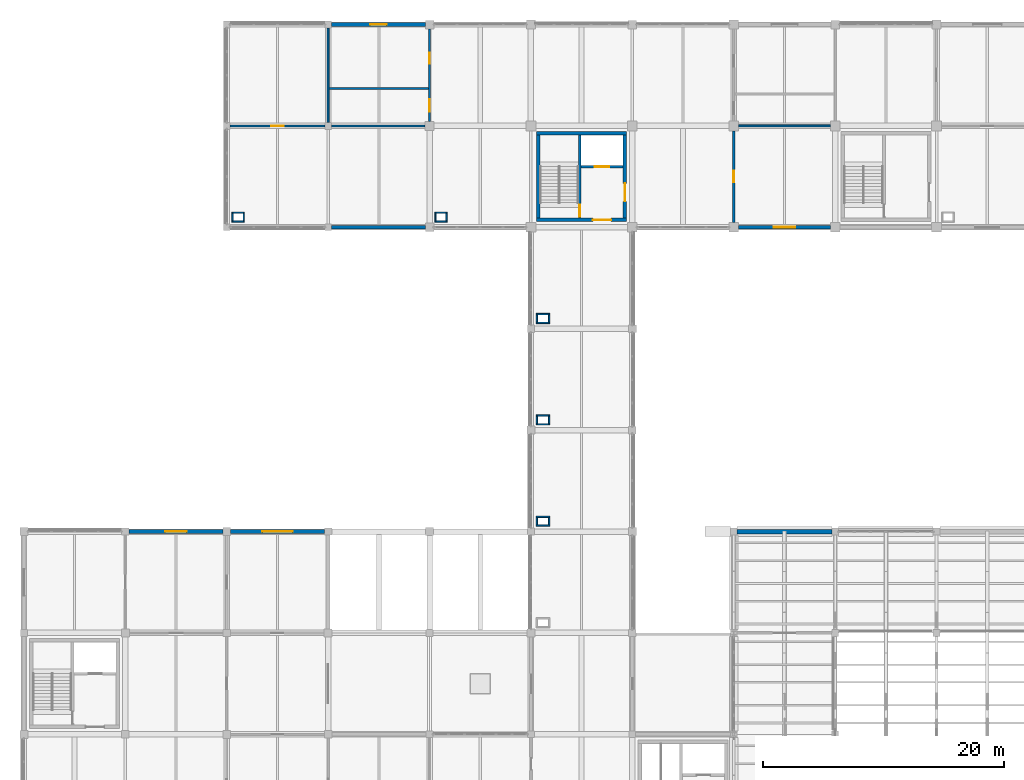
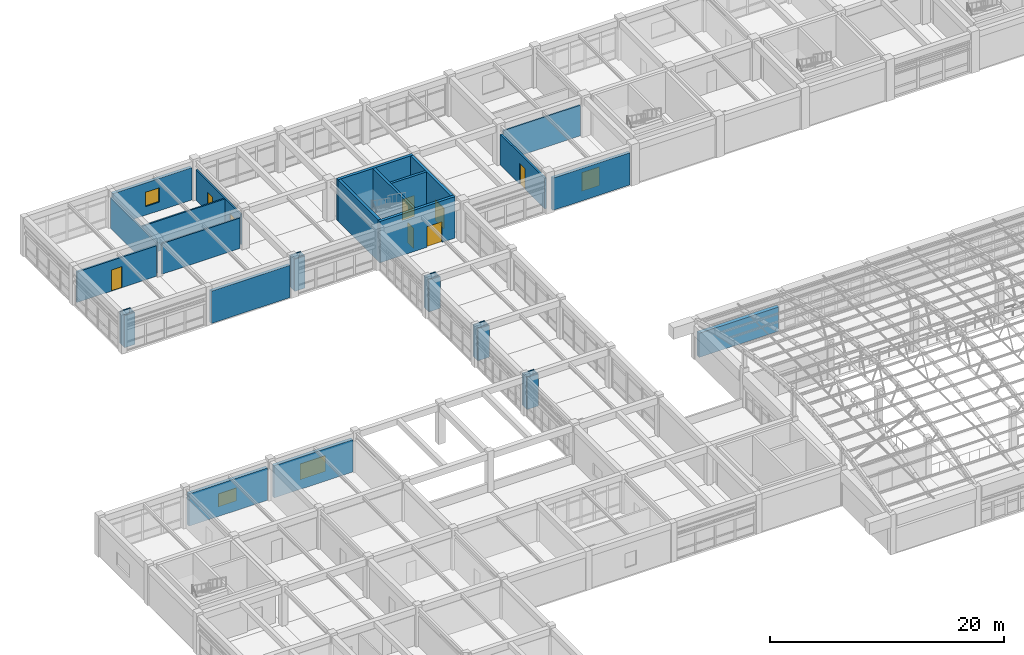
# One storey, part 65 of 74: 39 walls, 8 doors, 4 windows, 12 openings.
"""IFC4 building model written with IfcOpenShell, lengths in metres."""

from ifc_helpers import new_model, si_unit, direction, frame, frame_2d, origin, place, context, subcontext, project, spatial, rectangle, extrude, material, layer, layer_set, type_object, element, fill, save


model = new_model("IFC4")

# Units and contexts
model_context = context("Model", 3, precision=1e-05, world=origin(), true_north=direction((0.0, 1.0)))
body_context = subcontext(model_context, "Body", "Model", "MODEL_VIEW")
ifc_project = project(units=[si_unit("LENGTHUNIT", "METRE"), si_unit("AREAUNIT", "SQUARE_METRE"), si_unit("VOLUMEUNIT", "CUBIC_METRE"), si_unit("PLANEANGLEUNIT", "RADIAN"), si_unit("MASSUNIT", "GRAM", prefix="KILO")], contexts=[model_context])

# Site, building, storey
site_placement = place(None, origin())
site = spatial("IfcSite", under=ifc_project, at=site_placement, CompositionType="ELEMENT")
building_placement = place(site_placement, origin())
building = spatial("IfcBuilding", under=site, at=building_placement, Name="Porcellanite Civic Hall", CompositionType="ELEMENT")
storey_placement = place(building_placement, frame((0.0, 0.0, 14.760009765625)))
storey = spatial("IfcBuildingStorey", under=building, at=storey_placement, Name="L03", CompositionType="ELEMENT", Elevation=14.760009765625)

# Wall, opening, door
ifc_material_1 = material(Name="Concrete N40 (40 MPa)", Category="concrete")
ifc_layer_1 = layer(ifc_material_1, 0.239990234375)
ifc_layer_set_1 = layer_set([ifc_layer_1], Name="Concrete N40 (40 MPa)")
wall_type_1 = type_object("IfcWallType", Name="CW-SH240", PredefinedType="SHEAR", material=ifc_layer_set_1)
wall_1_placement = place(storey_placement, frame((54.43994140625, 101.56005859375, 0.0), z_axis=(0.0, 0.0, 1.0), x_axis=(0.0, 1.0, 0.0)))
wall_1 = element("IfcWall", 1, at=wall_1_placement, inside=storey, type_object=wall_type_1, Name="Core divider C3 L03", PredefinedType="SHEAR", context=body_context, shape_type="SweptSolid", body=[
    extrude(rectangle(XDim=6.8798828125, YDim=0.239990234375, at=frame_2d((3.43994140625, 0.0))), origin(), (0.0, 0.0, 1.0), 4.320068359375),
])
opening_1_placement = place(wall_1_placement, frame((0.1201171875, 0.0, 0.0)))
opening_1 = element("IfcOpeningElement", 2, at=opening_1_placement, cuts=wall_1, Name="Opening FD-C3-L03-ST", PredefinedType="OPENING", context=body_context, shape_type="SweptSolid", body=[
    extrude(rectangle(XDim=1.0, YDim=2.14990234375, at=frame_2d((0.5, 1.074951171875))), frame((0.0, 0.1201171875, 0.0), z_axis=(0.0, -1.0, 0.0), x_axis=(1.0, 0.0, 0.0)), (0.0, 0.0, 1.0), 0.239990234375),
])
ifc_material_2 = material(Name="Fire-rated solid-core hardwood timber", Category="wood")
door_type_1 = type_object("IfcDoorType", Name="DR-FD100", OperationType="NOTDEFINED", PredefinedType="DOOR", material=ifc_material_2)
door_1_placement = place(opening_1_placement, origin())
door_1 = element("IfcDoor", 3, at=door_1_placement, inside=storey, type_object=door_type_1, Name="Fire stair door FD-C3-L03-ST", OperationType="SINGLE_SWING_RIGHT", OverallHeight=2.14990234375, OverallWidth=1.0, PredefinedType="DOOR", context=body_context, shape_type="SweptSolid", body=[
    extrude(rectangle(XDim=1.0, YDim=2.14990234375, at=frame_2d((0.5, 1.074951171875))), frame((0.0, 0.02490234375, 0.0), z_axis=(0.0, -1.0, 0.0), x_axis=(1.0, 0.0, 0.0)), (0.0, 0.0, 1.0), 0.050048828125),
])
fill(opening_1, door_1)

wall_2_placement = place(storey_placement, frame((54.56005859375, 105.820068359375, 0.0), z_axis=(0.0, 0.0, 1.0), x_axis=(1.0, 0.0, 0.0)))
wall_2 = element("IfcWall", 4, at=wall_2_placement, inside=storey, type_object=wall_type_1, Name="Lift shaft wall C3 L03", PredefinedType="SHEAR", context=body_context, shape_type="SweptSolid", body=[
    extrude(rectangle(XDim=3.47998046875, YDim=0.239990234375, at=frame_2d((1.739990234375, 0.0))), origin(), (0.0, 0.0, 1.0), 4.320068359375),
])
opening_2_placement = place(wall_2_placement, frame((1.139892578125, 0.0, 0.0)))
opening_2 = element("IfcOpeningElement", 5, at=opening_2_placement, cuts=wall_2, Name="Opening LD-01", PredefinedType="OPENING", context=body_context, shape_type="SweptSolid", body=[
    extrude(rectangle(XDim=1.199951171875, YDim=2.199951171875, at=frame_2d((0.60009765625, 1.10009765625))), frame((0.0, 0.1201171875, 0.0), z_axis=(0.0, -1.0, 0.0), x_axis=(1.0, 0.0, 0.0)), (0.0, 0.0, 1.0), 0.239990234375),
])
ifc_material_3 = material(Name="Brushed stainless steel 316", Category="steel")
door_type_2 = type_object("IfcDoorType", Name="DR-LD120", OperationType="DOUBLE_DOOR_SLIDING", PredefinedType="DOOR", material=ifc_material_3)
door_2_placement = place(opening_2_placement, origin())
door_2 = element("IfcDoor", 6, at=door_2_placement, inside=storey, type_object=door_type_2, Name="Lift landing sliding door LD-01 L03", OperationType="DOUBLE_DOOR_SLIDING", OverallHeight=2.199951171875, OverallWidth=1.199951171875, PredefinedType="DOOR", context=body_context, shape_type="SweptSolid", body=[
    extrude(rectangle(XDim=1.199951171875, YDim=2.199951171875, at=frame_2d((0.60009765625, 1.10009765625))), frame((0.0, 0.02490234375, 0.0), z_axis=(0.0, -1.0, 0.0), x_axis=(1.0, 0.0, 0.0)), (0.0, 0.0, 1.0), 0.050048828125),
])
fill(opening_2, door_2)

ifc_material_4 = material(Name="Concrete N40 (40 MPa)", Category="concrete")
ifc_layer_2 = layer(ifc_material_4, 0.280029296875)
ifc_layer_set_2 = layer_set([ifc_layer_2], Name="Concrete N40 (40 MPa)")
wall_type_2 = type_object("IfcWallType", Name="CW-SH280", PredefinedType="SHEAR", material=ifc_layer_set_2)
wall_3_placement = place(storey_placement, frame((58.320068359375, 101.419921875, 0.0), z_axis=(0.0, 0.0, 1.0), x_axis=(-1.0, 0.0, 0.0)))
wall_3 = element("IfcWall", 7, at=wall_3_placement, inside=storey, type_object=wall_type_2, Name="Core wall C3 L03 S", PredefinedType="SHEAR", context=body_context, shape_type="SweptSolid", body=[
    extrude(rectangle(XDim=7.440185546875, YDim=0.280029296875, at=frame_2d((3.72021484375, 0.0))), origin(), (0.0, 0.0, 1.0), 4.320068359375),
])
opening_3_placement = place(wall_3_placement, frame((1.280029296875, 0.0, 0.0)))
opening_3 = element("IfcOpeningElement", 8, at=opening_3_placement, cuts=wall_3, Name="Opening FD-C3-L03-LS", PredefinedType="OPENING", context=body_context, shape_type="SweptSolid", body=[
    extrude(rectangle(XDim=1.5, YDim=2.14990234375, at=frame_2d((0.75, 1.074951171875))), frame((0.0, 0.14013671875, 0.0), z_axis=(0.0, -1.0, 0.0), x_axis=(1.0, 0.0, 0.0)), (0.0, 0.0, 1.0), 0.280029296875),
])
ifc_material_5 = material(Name="Fire-rated steel and Georgian wired glass", Category="steel")
door_type_3 = type_object("IfcDoorType", Name="DR-FD150", OperationType="DOUBLE_DOOR_SINGLE_SWING", PredefinedType="DOOR", material=ifc_material_5)
door_3_placement = place(opening_3_placement, origin())
door_3 = element("IfcDoor", 9, at=door_3_placement, inside=storey, type_object=door_type_3, Name="Fire lobby south door FD-C3-L03-LS", OperationType="DOUBLE_DOOR_SINGLE_SWING", OverallHeight=2.14990234375, OverallWidth=1.5, PredefinedType="DOOR", context=body_context, shape_type="SweptSolid", body=[
    extrude(rectangle(XDim=1.5, YDim=2.14990234375, at=frame_2d((0.75, 1.074951171875))), frame((0.0, 0.02490234375, 0.0), z_axis=(0.0, -1.0, 0.0), x_axis=(1.0, 0.0, 0.0)), (0.0, 0.0, 1.0), 0.050048828125),
])
fill(opening_3, door_3)

# Walls
wall_4_placement = place(storey_placement, frame((51.02001953125, 101.56005859375, 0.0), z_axis=(0.0, 0.0, 1.0), x_axis=(0.0, 1.0, 0.0)))
element("IfcWall", 10, at=wall_4_placement, inside=storey, type_object=wall_type_2, Name="Core wall C3 L03 W", PredefinedType="SHEAR", context=body_context, shape_type="SweptSolid", body=[
    extrude(rectangle(XDim=6.8798828125, YDim=0.280029296875, at=frame_2d((3.43994140625, 0.0))), origin(), (0.0, 0.0, 1.0), 4.320068359375),
])
wall_5_placement = place(storey_placement, frame((50.8798828125, 108.580078125, 0.0), z_axis=(0.0, 0.0, 1.0), x_axis=(1.0, 0.0, 0.0)))
element("IfcWall", 11, at=wall_5_placement, inside=storey, type_object=wall_type_2, Name="Core wall C3 L03 N", PredefinedType="SHEAR", context=body_context, shape_type="SweptSolid", body=[
    extrude(rectangle(XDim=7.440185546875, YDim=0.280029296875, at=frame_2d((3.72021484375, 0.0))), origin(), (0.0, 0.0, 1.0), 4.320068359375),
])

# Wall, opening, door
wall_6_placement = place(storey_placement, frame((58.179931640625, 108.43994140625, 0.0), z_axis=(0.0, 0.0, 1.0), x_axis=(0.0, -1.0, 0.0)))
wall_6 = element("IfcWall", 12, at=wall_6_placement, inside=storey, type_object=wall_type_2, Name="Core wall C3 L03 E", PredefinedType="SHEAR", context=body_context, shape_type="SweptSolid", body=[
    extrude(rectangle(XDim=6.8798828125, YDim=0.280029296875, at=frame_2d((3.43994140625, 0.0))), origin(), (0.0, 0.0, 1.0), 4.320068359375),
])
opening_4_placement = place(wall_6_placement, frame((3.989990234375, 0.0, 0.0)))
opening_4 = element("IfcOpeningElement", 13, at=opening_4_placement, cuts=wall_6, Name="Opening FD-C3-L03-LB", PredefinedType="OPENING", context=body_context, shape_type="SweptSolid", body=[
    extrude(rectangle(XDim=1.5, YDim=2.14990234375, at=frame_2d((0.75, 1.074951171875))), frame((0.0, 0.14013671875, 0.0), z_axis=(0.0, -1.0, 0.0), x_axis=(1.0, 0.0, 0.0)), (0.0, 0.0, 1.0), 0.280029296875),
])
door_4_placement = place(opening_4_placement, origin())
door_4 = element("IfcDoor", 14, at=door_4_placement, inside=storey, type_object=door_type_3, Name="Fire lobby double door FD-C3-L03-LB", OperationType="DOUBLE_DOOR_SINGLE_SWING", OverallHeight=2.14990234375, OverallWidth=1.5, PredefinedType="DOOR", context=body_context, shape_type="SweptSolid", body=[
    extrude(rectangle(XDim=1.5, YDim=2.14990234375, at=frame_2d((0.75, 1.074951171875))), frame((0.0, 0.02490234375, 0.0), z_axis=(0.0, -1.0, 0.0), x_axis=(1.0, 0.0, 0.0)), (0.0, 0.0, 1.0), 0.050048828125),
])
fill(opening_4, door_4)

# Wall
ifc_material_6 = material(Name="Precast concrete N40 (40 MPa)", Category="concrete")
ifc_layer_3 = layer(ifc_material_6, 0.300048828125)
ifc_layer_set_3 = layer_set([ifc_layer_3], Name="Precast concrete N40 (40 MPa)")
wall_type_3 = type_object("IfcWallType", Name="EW-ADM300", PredefinedType="SOLIDWALL", material=ifc_layer_set_3)
wall_7_placement = place(storey_placement, frame((41.64892578125, 100.800048828125, 0.0), z_axis=(0.0, 0.0, 1.0), x_axis=(-1.0, 0.0, 0.0)))
element("IfcWall", 15, at=wall_7_placement, inside=storey, type_object=wall_type_3, Name="Exterior wall L03 S 5-13", PredefinedType="SOLIDWALL", context=body_context, shape_type="SweptSolid", body=[
    extrude(rectangle(XDim=7.77294921875, YDim=0.300048828125, at=frame_2d((3.886474609375, 0.0))), origin(), (0.0, 0.0, 1.0), 3.369873046875),
])

# Wall, opening, window
wall_8_placement = place(storey_placement, frame((33.8759765625, 117.60009765625, 0.0), z_axis=(0.0, 0.0, 1.0), x_axis=(1.0, 0.0, 0.0)))
wall_8 = element("IfcWall", 16, at=wall_8_placement, inside=storey, type_object=wall_type_3, Name="Exterior wall L03 N 5-14", PredefinedType="SOLIDWALL", context=body_context, shape_type="SweptSolid", body=[
    extrude(rectangle(XDim=7.77294921875, YDim=0.300048828125, at=frame_2d((3.886474609375, 0.0))), origin(), (0.0, 0.0, 1.0), 3.369873046875),
])
opening_5_placement = place(wall_8_placement, frame((3.2119140625, 0.0, 0.89990234375)))
opening_5 = element("IfcOpeningElement", 17, at=opening_5_placement, cuts=wall_8, Name="Opening W23", PredefinedType="OPENING", context=body_context, shape_type="SweptSolid", body=[
    extrude(rectangle(XDim=1.35009765625, YDim=1.5, at=frame_2d((0.675048828125, 0.75))), frame((0.0, 0.14990234375, 0.0), z_axis=(0.0, -1.0, 0.0), x_axis=(1.0, 0.0, 0.0)), (0.0, 0.0, 1.0), 0.300048828125),
])
ifc_material_7 = material(Name="Cyclone laminated low-E glazing in anodised aluminium frame", Category="aluminium")
window_type_1 = type_object("IfcWindowType", Name="WN-23", PartitioningType="SINGLE_PANEL", PredefinedType="WINDOW", material=ifc_material_7)
window_1_placement = place(opening_5_placement, origin())
window_1 = element("IfcWindow", 18, at=window_1_placement, inside=storey, type_object=window_type_1, Name="Window W23 L03 N 5-14", OverallHeight=1.5, OverallWidth=1.35009765625, PartitioningType="SINGLE_PANEL", PredefinedType="WINDOW", context=body_context, shape_type="SweptSolid", body=[
    extrude(rectangle(XDim=1.35009765625, YDim=1.5, at=frame_2d((0.675048828125, 0.75))), frame((0.0, 0.030029296875, 0.0), z_axis=(0.0, -1.0, 0.0), x_axis=(1.0, 0.0, 0.0)), (0.0, 0.0, 1.0), 0.06005859375),
])
fill(opening_5, window_1)

wall_9_placement = place(storey_placement, frame((75.198974609375, 100.800048828125, 0.0), z_axis=(0.0, 0.0, 1.0), x_axis=(-1.0, 0.0, 0.0)))
wall_9 = element("IfcWall", 19, at=wall_9_placement, inside=storey, type_object=wall_type_3, Name="Exterior wall L03 S 9-13", PredefinedType="SOLIDWALL", context=body_context, shape_type="SweptSolid", body=[
    extrude(rectangle(XDim=7.597900390625, YDim=0.300048828125, at=frame_2d((3.798828125, 0.0))), origin(), (0.0, 0.0, 1.0), 3.369873046875),
])
opening_6_placement = place(wall_9_placement, frame((2.924072265625, 0.0, 0.89990234375)))
opening_6 = element("IfcOpeningElement", 20, at=opening_6_placement, cuts=wall_9, Name="Opening W31", PredefinedType="OPENING", context=body_context, shape_type="SweptSolid", body=[
    extrude(rectangle(XDim=1.75, YDim=1.949951171875, at=frame_2d((0.875, 0.97509765625))), frame((0.0, 0.14990234375, 0.0), z_axis=(0.0, -1.0, 0.0), x_axis=(1.0, 0.0, 0.0)), (0.0, 0.0, 1.0), 0.300048828125),
])
ifc_material_8 = material(Name="Cyclone laminated low-E glazing in anodised aluminium frame", Category="aluminium")
window_type_2 = type_object("IfcWindowType", Name="WN-31", PartitioningType="DOUBLE_PANEL_VERTICAL", PredefinedType="WINDOW", material=ifc_material_8)
window_2_placement = place(opening_6_placement, origin())
window_2 = element("IfcWindow", 21, at=window_2_placement, inside=storey, type_object=window_type_2, Name="Window W31 L03 S 9-13", OverallHeight=1.949951171875, OverallWidth=1.75, PartitioningType="SINGLE_PANEL", PredefinedType="WINDOW", context=body_context, shape_type="SweptSolid", body=[
    extrude(rectangle(XDim=1.75, YDim=1.949951171875, at=frame_2d((0.875, 0.97509765625))), frame((0.0, 0.030029296875, 0.0), z_axis=(0.0, -1.0, 0.0), x_axis=(1.0, 0.0, 0.0)), (0.0, 0.0, 1.0), 0.06005859375),
])
fill(opening_6, window_2)

ifc_material_9 = material(Name="Precast concrete N40 (40 MPa)", Category="concrete")
ifc_layer_4 = layer(ifc_material_9, 0.320068359375)
ifc_layer_set_4 = layer_set([ifc_layer_4], Name="Precast concrete N40 (40 MPa)")
wall_type_4 = type_object("IfcWallType", Name="EW-COM320", PredefinedType="SOLIDWALL", material=ifc_layer_set_4)
wall_10_placement = place(storey_placement, frame((17.10107421875, 75.60009765625, 0.0), z_axis=(0.0, 0.0, 1.0), x_axis=(1.0, 0.0, 0.0)))
wall_10 = element("IfcWall", 22, at=wall_10_placement, inside=storey, type_object=wall_type_4, Name="Exterior wall L03 N 3-9", PredefinedType="SOLIDWALL", context=body_context, shape_type="SweptSolid", body=[
    extrude(rectangle(XDim=7.77294921875, YDim=0.320068359375, at=frame_2d((3.886474609375, 0.0))), origin(), (0.0, 0.0, 1.0), 3.369873046875),
])
opening_7_placement = place(wall_10_placement, frame((2.986083984375, 0.0, 0.89990234375)))
opening_7 = element("IfcOpeningElement", 23, at=opening_7_placement, cuts=wall_10, Name="Opening W12", PredefinedType="OPENING", context=body_context, shape_type="SweptSolid", body=[
    extrude(rectangle(XDim=1.800048828125, YDim=1.35009765625, at=frame_2d((0.89990234375, 0.675048828125))), frame((0.0, 0.16015625, 0.0), z_axis=(0.0, -1.0, 0.0), x_axis=(1.0, 0.0, 0.0)), (0.0, 0.0, 1.0), 0.320068359375),
])
ifc_material_10 = material(Name="Cyclone laminated low-E glazing in anodised aluminium frame", Category="aluminium")
window_type_3 = type_object("IfcWindowType", Name="WN-12", PartitioningType="DOUBLE_PANEL_VERTICAL", PredefinedType="WINDOW", material=ifc_material_10)
window_3_placement = place(opening_7_placement, origin())
window_3 = element("IfcWindow", 24, at=window_3_placement, inside=storey, type_object=window_type_3, Name="Window W12 L03 N 3-9", OverallHeight=1.35009765625, OverallWidth=1.800048828125, PartitioningType="SINGLE_PANEL", PredefinedType="WINDOW", context=body_context, shape_type="SweptSolid", body=[
    extrude(rectangle(XDim=1.800048828125, YDim=1.35009765625, at=frame_2d((0.89990234375, 0.675048828125))), frame((0.0, 0.030029296875, 0.0), z_axis=(0.0, -1.0, 0.0), x_axis=(1.0, 0.0, 0.0)), (0.0, 0.0, 1.0), 0.06005859375),
])
fill(opening_7, window_3)

wall_11_placement = place(storey_placement, frame((25.52587890625, 75.60009765625, 0.0), z_axis=(0.0, 0.0, 1.0), x_axis=(1.0, 0.0, 0.0)))
wall_11 = element("IfcWall", 25, at=wall_11_placement, inside=storey, type_object=wall_type_4, Name="Exterior wall L03 N 4-9", PredefinedType="SOLIDWALL", context=body_context, shape_type="SweptSolid", body=[
    extrude(rectangle(XDim=7.773193359375, YDim=0.320068359375, at=frame_2d((3.88671875, 0.0))), origin(), (0.0, 0.0, 1.0), 3.369873046875),
])
opening_8_placement = place(wall_11_placement, frame((2.635986328125, 0.0, 0.89990234375)))
opening_8 = element("IfcOpeningElement", 26, at=opening_8_placement, cuts=wall_11, Name="Opening W18", PredefinedType="OPENING", context=body_context, shape_type="SweptSolid", body=[
    extrude(rectangle(XDim=2.5, YDim=1.64990234375, at=frame_2d((1.25, 0.824951171875))), frame((0.0, 0.16015625, 0.0), z_axis=(0.0, -1.0, 0.0), x_axis=(1.0, 0.0, 0.0)), (0.0, 0.0, 1.0), 0.320068359375),
])
ifc_material_11 = material(Name="Cyclone laminated low-E glazing in anodised aluminium frame", Category="aluminium")
window_type_4 = type_object("IfcWindowType", Name="WN-18", PartitioningType="DOUBLE_PANEL_VERTICAL", PredefinedType="WINDOW", material=ifc_material_11)
window_4_placement = place(opening_8_placement, origin())
window_4 = element("IfcWindow", 27, at=window_4_placement, inside=storey, type_object=window_type_4, Name="Window W18 L03 N 4-9", OverallHeight=1.64990234375, OverallWidth=2.5, PartitioningType="SINGLE_PANEL", PredefinedType="WINDOW", context=body_context, shape_type="SweptSolid", body=[
    extrude(rectangle(XDim=2.5, YDim=1.64990234375, at=frame_2d((1.25, 0.824951171875))), frame((0.0, 0.030029296875, 0.0), z_axis=(0.0, -1.0, 0.0), x_axis=(1.0, 0.0, 0.0)), (0.0, 0.0, 1.0), 0.06005859375),
])
fill(opening_8, window_4)

# Walls
ifc_material_12 = material(Name="Precast concrete N40 (40 MPa)", Category="concrete")
ifc_layer_5 = layer(ifc_material_12, 0.3798828125)
ifc_layer_set_5 = layer_set([ifc_layer_5], Name="Precast concrete N40 (40 MPa)")
wall_type_5 = type_object("IfcWallType", Name="EW-DRUM380", PredefinedType="SOLIDWALL", material=ifc_layer_set_5)
wall_12_placement = place(storey_placement, frame((67.47607421875, 75.60009765625, 0.0), z_axis=(0.0, 0.0, 1.0), x_axis=(1.0, 0.0, 0.0)))
element("IfcWall", 28, at=wall_12_placement, inside=storey, type_object=wall_type_5, Name="Exterior wall L03 N 9-9", PredefinedType="SOLIDWALL", context=body_context, shape_type="SweptSolid", body=[
    extrude(rectangle(XDim=7.847900390625, YDim=0.3798828125, at=frame_2d((3.923828125, 0.0))), origin(), (0.0, 0.0, 1.0), 2.52001953125),
])
ifc_material_13 = material(Name="Fire-rated shaftwall plasterboard on steel studs", Category="steel")
ifc_layer_6 = layer(ifc_material_13, 0.117919921875)
ifc_layer_set_6 = layer_set([ifc_layer_6], Name="Fire-rated shaftwall plasterboard on steel studs")
wall_type_6 = type_object("IfcWallType", Name="IW-FR118", PredefinedType="PARTITIONING", material=ifc_layer_set_6)
for number, where, z_axis, x_axis, name in (
    (29, (25.632080078125, 101.291015625, 0.0), (0.0, 0.0, 1.0), (1.0, 0.0, 0.0), "Fire riser shaftwall S L03 3-12"),
    (30, (25.632080078125, 102.009033203125, 0.0), (0.0, 0.0, 1.0), (1.0, 0.0, 0.0), "Fire riser shaftwall N L03 3-12"),
):
    element("IfcWall", number, at=place(storey_placement, frame(where, z_axis=z_axis, x_axis=x_axis)), inside=storey, type_object=wall_type_6, Name=name, PredefinedType="PARTITIONING", context=body_context, shape_type="SweptSolid", body=[
        extrude(rectangle(XDim=1.035888671875, YDim=0.117919921875, at=frame_2d((0.51806640625, 0.0))), origin(), (0.0, 0.0, 1.0), 3.35009765625),
    ])
for number, where, z_axis, x_axis, name in (
    (31, (25.69091796875, 101.35009765625, 0.0), (0.0, 0.0, 1.0), (0.0, 1.0, 0.0), "Fire riser shaftwall W L03 3-12"),
    (32, (26.60888671875, 101.35009765625, 0.0), (0.0, 0.0, 1.0), (0.0, 1.0, 0.0), "Fire riser shaftwall E L03 3-12"),
):
    element("IfcWall", number, at=place(storey_placement, frame(where, z_axis=z_axis, x_axis=x_axis)), inside=storey, type_object=wall_type_6, Name=name, PredefinedType="PARTITIONING", context=body_context, shape_type="SweptSolid", body=[
        extrude(rectangle(XDim=0.599853515625, YDim=0.117919921875, at=frame_2d((0.2998046875, 0.0))), origin(), (0.0, 0.0, 1.0), 3.35009765625),
    ])
for number, where, z_axis, x_axis, name in (
    (33, (42.431884765625, 101.291015625, 0.0), (0.0, 0.0, 1.0), (1.0, 0.0, 0.0), "Fire riser shaftwall S L03 5-12"),
    (34, (42.431884765625, 102.009033203125, 0.0), (0.0, 0.0, 1.0), (1.0, 0.0, 0.0), "Fire riser shaftwall N L03 5-12"),
):
    element("IfcWall", number, at=place(storey_placement, frame(where, z_axis=z_axis, x_axis=x_axis)), inside=storey, type_object=wall_type_6, Name=name, PredefinedType="PARTITIONING", context=body_context, shape_type="SweptSolid", body=[
        extrude(rectangle(XDim=1.0361328125, YDim=0.117919921875, at=frame_2d((0.51806640625, 0.0))), origin(), (0.0, 0.0, 1.0), 3.35009765625),
    ])
for number, where, z_axis, x_axis, name in (
    (35, (42.490966796875, 101.35009765625, 0.0), (0.0, 0.0, 1.0), (0.0, 1.0, 0.0), "Fire riser shaftwall W L03 5-12"),
    (36, (43.408935546875, 101.35009765625, 0.0), (0.0, 0.0, 1.0), (0.0, 1.0, 0.0), "Fire riser shaftwall E L03 5-12"),
):
    element("IfcWall", number, at=place(storey_placement, frame(where, z_axis=z_axis, x_axis=x_axis)), inside=storey, type_object=wall_type_6, Name=name, PredefinedType="PARTITIONING", context=body_context, shape_type="SweptSolid", body=[
        extrude(rectangle(XDim=0.599853515625, YDim=0.117919921875, at=frame_2d((0.2998046875, 0.0))), origin(), (0.0, 0.0, 1.0), 3.35009765625),
    ])
for number, where, z_axis, x_axis, name in (
    (37, (50.83203125, 76.091064453125, 0.0), (0.0, 0.0, 1.0), (1.0, 0.0, 0.0), "Fire riser shaftwall S L03 6-9"),
    (38, (50.83203125, 76.80908203125, 0.0), (0.0, 0.0, 1.0), (1.0, 0.0, 0.0), "Fire riser shaftwall N L03 6-9"),
):
    element("IfcWall", number, at=place(storey_placement, frame(where, z_axis=z_axis, x_axis=x_axis)), inside=storey, type_object=wall_type_6, Name=name, PredefinedType="PARTITIONING", context=body_context, shape_type="SweptSolid", body=[
        extrude(rectangle(XDim=1.135986328125, YDim=0.117919921875, at=frame_2d((0.56787109375, 0.0))), origin(), (0.0, 0.0, 1.0), 3.35009765625),
    ])
for number, where, z_axis, x_axis, name in (
    (39, (50.89111328125, 76.14990234375, 0.0), (0.0, 0.0, 1.0), (0.0, 1.0, 0.0), "Fire riser shaftwall W L03 6-9"),
    (40, (51.908935546875, 76.14990234375, 0.0), (0.0, 0.0, 1.0), (0.0, 1.0, 0.0), "Fire riser shaftwall E L03 6-9"),
):
    element("IfcWall", number, at=place(storey_placement, frame(where, z_axis=z_axis, x_axis=x_axis)), inside=storey, type_object=wall_type_6, Name=name, PredefinedType="PARTITIONING", context=body_context, shape_type="SweptSolid", body=[
        extrude(rectangle(XDim=0.60009765625, YDim=0.117919921875, at=frame_2d((0.300048828125, 0.0))), origin(), (0.0, 0.0, 1.0), 3.35009765625),
    ])
for number, where, z_axis, x_axis, name in (
    (41, (50.83203125, 84.490966796875, 0.0), (0.0, 0.0, 1.0), (1.0, 0.0, 0.0), "Fire riser shaftwall S L03 6-10"),
    (42, (50.83203125, 85.208984375, 0.0), (0.0, 0.0, 1.0), (1.0, 0.0, 0.0), "Fire riser shaftwall N L03 6-10"),
):
    element("IfcWall", number, at=place(storey_placement, frame(where, z_axis=z_axis, x_axis=x_axis)), inside=storey, type_object=wall_type_6, Name=name, PredefinedType="PARTITIONING", context=body_context, shape_type="SweptSolid", body=[
        extrude(rectangle(XDim=1.135986328125, YDim=0.117919921875, at=frame_2d((0.56787109375, 0.0))), origin(), (0.0, 0.0, 1.0), 3.35009765625),
    ])
for number, where, z_axis, x_axis, name in (
    (43, (50.89111328125, 84.550048828125, 0.0), (0.0, 0.0, 1.0), (0.0, 1.0, 0.0), "Fire riser shaftwall W L03 6-10"),
    (44, (51.908935546875, 84.550048828125, 0.0), (0.0, 0.0, 1.0), (0.0, 1.0, 0.0), "Fire riser shaftwall E L03 6-10"),
):
    element("IfcWall", number, at=place(storey_placement, frame(where, z_axis=z_axis, x_axis=x_axis)), inside=storey, type_object=wall_type_6, Name=name, PredefinedType="PARTITIONING", context=body_context, shape_type="SweptSolid", body=[
        extrude(rectangle(XDim=0.599853515625, YDim=0.117919921875, at=frame_2d((0.2998046875, 0.0))), origin(), (0.0, 0.0, 1.0), 3.35009765625),
    ])
for number, where, z_axis, x_axis, name in (
    (45, (50.83203125, 92.89111328125, 0.0), (0.0, 0.0, 1.0), (1.0, 0.0, 0.0), "Fire riser shaftwall S L03 6-11"),
    (46, (50.83203125, 93.60888671875, 0.0), (0.0, 0.0, 1.0), (1.0, 0.0, 0.0), "Fire riser shaftwall N L03 6-11"),
):
    element("IfcWall", number, at=place(storey_placement, frame(where, z_axis=z_axis, x_axis=x_axis)), inside=storey, type_object=wall_type_6, Name=name, PredefinedType="PARTITIONING", context=body_context, shape_type="SweptSolid", body=[
        extrude(rectangle(XDim=1.135986328125, YDim=0.117919921875, at=frame_2d((0.56787109375, 0.0))), origin(), (0.0, 0.0, 1.0), 3.35009765625),
    ])
for number, where, z_axis, x_axis, name in (
    (47, (50.89111328125, 92.949951171875, 0.0), (0.0, 0.0, 1.0), (0.0, 1.0, 0.0), "Fire riser shaftwall W L03 6-11"),
    (48, (51.908935546875, 92.949951171875, 0.0), (0.0, 0.0, 1.0), (0.0, 1.0, 0.0), "Fire riser shaftwall E L03 6-11"),
):
    element("IfcWall", number, at=place(storey_placement, frame(where, z_axis=z_axis, x_axis=x_axis)), inside=storey, type_object=wall_type_6, Name=name, PredefinedType="PARTITIONING", context=body_context, shape_type="SweptSolid", body=[
        extrude(rectangle(XDim=0.60009765625, YDim=0.117919921875, at=frame_2d((0.300048828125, 0.0))), origin(), (0.0, 0.0, 1.0), 3.35009765625),
    ])
ifc_material_14 = material(Name="Fire-rated plasterboard on light-gauge steel studs", Category="steel")
ifc_layer_7 = layer(ifc_material_14, 0.14794921875)
ifc_layer_set_7 = layer_set([ifc_layer_7], Name="Fire-rated plasterboard on light-gauge steel studs")
wall_type_7 = type_object("IfcWallType", Name="IW-FR148", PredefinedType="PARTITIONING", material=ifc_layer_set_7)
wall_13_placement = place(storey_placement, frame((33.876953125, 109.199951171875, 0.0), z_axis=(0.0, 0.0, 1.0), x_axis=(1.0, 0.0, 0.0)))
element("IfcWall", 49, at=wall_13_placement, inside=storey, type_object=wall_type_7, Name="Fire compartment wall L03 H 5-13", PredefinedType="PARTITIONING", context=body_context, shape_type="SweptSolid", body=[
    extrude(rectangle(XDim=7.74609375, YDim=0.14794921875, at=frame_2d((3.873046875, 0.0))), origin(), (0.0, 0.0, 1.0), 3.18994140625),
])

# Wall, openings, doors
wall_14_placement = place(storey_placement, frame((42.0, 109.576904296875, 0.0), z_axis=(0.0, 0.0, 1.0), x_axis=(0.0, 1.0, 0.0)))
wall_14 = element("IfcWall", 50, at=wall_14_placement, inside=storey, type_object=wall_type_7, Name="Fire compartment wall L03 V 5-14", PredefinedType="PARTITIONING", context=body_context, shape_type="SweptSolid", body=[
    extrude(rectangle(XDim=7.671142578125, YDim=0.14794921875, at=frame_2d((3.83544921875, 0.0))), origin(), (0.0, 0.0, 1.0), 3.18994140625),
])
opening_9_placement = place(wall_14_placement, frame((0.81298828125, 0.0, 0.0)))
opening_9 = element("IfcOpeningElement", 51, at=opening_9_placement, cuts=wall_14, Name="Opening D-L03-406", PredefinedType="OPENING", context=body_context, shape_type="SweptSolid", body=[
    extrude(rectangle(XDim=1.0, YDim=2.14990234375, at=frame_2d((0.5, 1.074951171875))), frame((0.0, 0.073974609375, 0.0), z_axis=(0.0, -1.0, 0.0), x_axis=(1.0, 0.0, 0.0)), (0.0, 0.0, 1.0), 0.14794921875),
])
opening_10_placement = place(wall_14_placement, frame((4.782958984375, 0.0, 0.0)))
opening_10 = element("IfcOpeningElement", 52, at=opening_10_placement, cuts=wall_14, Name="Opening D-L03-407", PredefinedType="OPENING", context=body_context, shape_type="SweptSolid", body=[
    extrude(rectangle(XDim=0.89990234375, YDim=2.050048828125, at=frame_2d((0.449951171875, 1.02490234375))), frame((0.0, 0.073974609375, 0.0), z_axis=(0.0, -1.0, 0.0), x_axis=(1.0, 0.0, 0.0)), (0.0, 0.0, 1.0), 0.14794921875),
])
ifc_material_15 = material(Name="Fire-rated steel riser access leaf", Category="steel")
door_type_4 = type_object("IfcDoorType", Name="DR-FD090", OperationType="NOTDEFINED", PredefinedType="DOOR", material=ifc_material_15)
door_5_placement = place(opening_10_placement, origin())
door_5 = element("IfcDoor", 53, at=door_5_placement, inside=storey, type_object=door_type_4, Name="Interior door D-L03-407", OperationType="SINGLE_SWING_LEFT", OverallHeight=2.050048828125, OverallWidth=0.89990234375, PredefinedType="DOOR", context=body_context, shape_type="SweptSolid", body=[
    extrude(rectangle(XDim=0.89990234375, YDim=2.050048828125, at=frame_2d((0.449951171875, 1.02490234375))), frame((0.0, 0.02490234375, 0.0), z_axis=(0.0, -1.0, 0.0), x_axis=(1.0, 0.0, 0.0)), (0.0, 0.0, 1.0), 0.050048828125),
])
fill(opening_10, door_5)
door_6_placement = place(opening_9_placement, origin())
door_6 = element("IfcDoor", 54, at=door_6_placement, inside=storey, type_object=door_type_1, Name="Interior door D-L03-406", OperationType="SINGLE_SWING_RIGHT", OverallHeight=2.14990234375, OverallWidth=1.0, PredefinedType="DOOR", context=body_context, shape_type="SweptSolid", body=[
    extrude(rectangle(XDim=1.0, YDim=2.14990234375, at=frame_2d((0.5, 1.074951171875))), frame((0.0, 0.02490234375, 0.0), z_axis=(0.0, -1.0, 0.0), x_axis=(1.0, 0.0, 0.0)), (0.0, 0.0, 1.0), 0.050048828125),
])
fill(opening_9, door_6)

# Walls
wall_15_placement = place(storey_placement, frame((33.681884765625, 112.300048828125, 0.0), z_axis=(0.0, 0.0, 1.0), x_axis=(1.0, 0.0, 0.0)))
element("IfcWall", 55, at=wall_15_placement, inside=storey, type_object=wall_type_7, Name="Fire compartment wall L03 sub 5-14", PredefinedType="PARTITIONING", context=body_context, shape_type="SweptSolid", body=[
    extrude(rectangle(XDim=8.2421875, YDim=0.14794921875, at=frame_2d((4.12109375, 0.0))), origin(), (0.0, 0.0, 1.0), 3.18994140625),
])
ifc_material_16 = material(Name="Fire-rated plasterboard on light-gauge steel studs", Category="steel")
ifc_layer_8 = layer(ifc_material_16, 0.159912109375)
ifc_layer_set_8 = layer_set([ifc_layer_8], Name="Fire-rated plasterboard on light-gauge steel studs")
wall_type_8 = type_object("IfcWallType", Name="IW-FR160", PredefinedType="PARTITIONING", material=ifc_layer_set_8)
wall_16_placement = place(storey_placement, frame((33.60009765625, 109.47705078125, 0.0), z_axis=(0.0, 0.0, 1.0), x_axis=(0.0, 1.0, 0.0)))
element("IfcWall", 56, at=wall_16_placement, inside=storey, type_object=wall_type_8, Name="Fire compartment wall L03 V 4-14", PredefinedType="PARTITIONING", context=body_context, shape_type="SweptSolid", body=[
    extrude(rectangle(XDim=7.845947265625, YDim=0.159912109375, at=frame_2d((3.9228515625, 0.0))), origin(), (0.0, 0.0, 1.0), 3.18994140625),
])
ifc_material_17 = material(Name="Insulated acoustic plasterboard on light-gauge steel studs", Category="steel")
ifc_layer_9 = layer(ifc_material_17, 0.155029296875)
ifc_layer_set_9 = layer_set([ifc_layer_9], Name="Insulated acoustic plasterboard on light-gauge steel studs")
wall_type_9 = type_object("IfcWallType", Name="IW-PT155", PredefinedType="PARTITIONING", material=ifc_layer_set_9)
wall_17_placement = place(storey_placement, frame((67.60205078125, 109.199951171875, 0.0), z_axis=(0.0, 0.0, 1.0), x_axis=(1.0, 0.0, 0.0)))
element("IfcWall", 57, at=wall_17_placement, inside=storey, type_object=wall_type_9, Name="Partition L03 H 9-13", PredefinedType="PARTITIONING", context=body_context, shape_type="SweptSolid", body=[
    extrude(rectangle(XDim=7.595947265625, YDim=0.155029296875, at=frame_2d((3.7978515625, 0.0))), origin(), (0.0, 0.0, 1.0), 3.18994140625),
])

# Wall, opening, door
ifc_material_18 = material(Name="Insulated acoustic plasterboard on light-gauge steel studs", Category="steel")
ifc_layer_10 = layer(ifc_material_18, 0.18505859375)
ifc_layer_set_10 = layer_set([ifc_layer_10], Name="Insulated acoustic plasterboard on light-gauge steel studs")
wall_type_10 = type_object("IfcWallType", Name="IW-PT185", PredefinedType="PARTITIONING", material=ifc_layer_set_10)
wall_18_placement = place(storey_placement, frame((25.47705078125, 109.199951171875, 0.0), z_axis=(0.0, 0.0, 1.0), x_axis=(1.0, 0.0, 0.0)))
wall_18 = element("IfcWall", 58, at=wall_18_placement, inside=storey, type_object=wall_type_10, Name="Partition L03 H 4-13", PredefinedType="PARTITIONING", context=body_context, shape_type="SweptSolid", body=[
    extrude(rectangle(XDim=7.845947265625, YDim=0.18505859375, at=frame_2d((3.9228515625, 0.0))), origin(), (0.0, 0.0, 1.0), 3.18994140625),
])
opening_11_placement = place(wall_18_placement, frame((3.403076171875, 0.0, 0.0)))
opening_11 = element("IfcOpeningElement", 59, at=opening_11_placement, cuts=wall_18, Name="Opening D-L03-418", PredefinedType="OPENING", context=body_context, shape_type="SweptSolid", body=[
    extrude(rectangle(XDim=1.0400390625, YDim=2.199951171875, at=frame_2d((0.52001953125, 1.10009765625))), frame((0.0, 0.092529296875, 0.0), z_axis=(0.0, -1.0, 0.0), x_axis=(1.0, 0.0, 0.0)), (0.0, 0.0, 1.0), 0.18505859375),
])
ifc_material_19 = material(Name="Solid-core spotted-gum timber", Category="wood")
door_type_5 = type_object("IfcDoorType", Name="DR-RM104", OperationType="NOTDEFINED", PredefinedType="DOOR", material=ifc_material_19)
door_7_placement = place(opening_11_placement, origin())
door_7 = element("IfcDoor", 60, at=door_7_placement, inside=storey, type_object=door_type_5, Name="Interior door D-L03-418", OperationType="SINGLE_SWING_RIGHT", OverallHeight=2.199951171875, OverallWidth=1.0400390625, PredefinedType="DOOR", context=body_context, shape_type="SweptSolid", body=[
    extrude(rectangle(XDim=1.0400390625, YDim=2.199951171875, at=frame_2d((0.52001953125, 1.10009765625))), frame((0.0, 0.02490234375, 0.0), z_axis=(0.0, -1.0, 0.0), x_axis=(1.0, 0.0, 0.0)), (0.0, 0.0, 1.0), 0.050048828125),
])
fill(opening_11, door_7)

wall_19_placement = place(storey_placement, frame((67.199951171875, 101.201904296875, 0.0), z_axis=(0.0, 0.0, 1.0), x_axis=(0.0, 1.0, 0.0)))
wall_19 = element("IfcWall", 61, at=wall_19_placement, inside=storey, type_object=wall_type_10, Name="Partition L03 V 8-13", PredefinedType="PARTITIONING", context=body_context, shape_type="SweptSolid", body=[
    extrude(rectangle(XDim=7.59619140625, YDim=0.18505859375, at=frame_2d((3.798095703125, 0.0))), origin(), (0.0, 0.0, 1.0), 3.18994140625),
])
opening_12_placement = place(wall_19_placement, frame((3.318115234375, 0.0, 0.0)))
opening_12 = element("IfcOpeningElement", 62, at=opening_12_placement, cuts=wall_19, Name="Opening D-L03-435", PredefinedType="OPENING", context=body_context, shape_type="SweptSolid", body=[
    extrude(rectangle(XDim=0.9599609375, YDim=2.179931640625, at=frame_2d((0.47998046875, 1.08984375))), frame((0.0, 0.092529296875, 0.0), z_axis=(0.0, -1.0, 0.0), x_axis=(1.0, 0.0, 0.0)), (0.0, 0.0, 1.0), 0.18505859375),
])
ifc_material_20 = material(Name="Solid-core spotted-gum timber", Category="wood")
door_type_6 = type_object("IfcDoorType", Name="DR-RM096", OperationType="NOTDEFINED", PredefinedType="DOOR", material=ifc_material_20)
door_8_placement = place(opening_12_placement, origin())
door_8 = element("IfcDoor", 63, at=door_8_placement, inside=storey, type_object=door_type_6, Name="Interior door D-L03-435", OperationType="SINGLE_SWING_LEFT", OverallHeight=2.179931640625, OverallWidth=0.9599609375, PredefinedType="DOOR", context=body_context, shape_type="SweptSolid", body=[
    extrude(rectangle(XDim=0.9599609375, YDim=2.179931640625, at=frame_2d((0.47998046875, 1.08984375))), frame((0.0, 0.02490234375, 0.0), z_axis=(0.0, -1.0, 0.0), x_axis=(1.0, 0.0, 0.0)), (0.0, 0.0, 1.0), 0.050048828125),
])
fill(opening_12, door_8)

save(model, "model.ifc")
